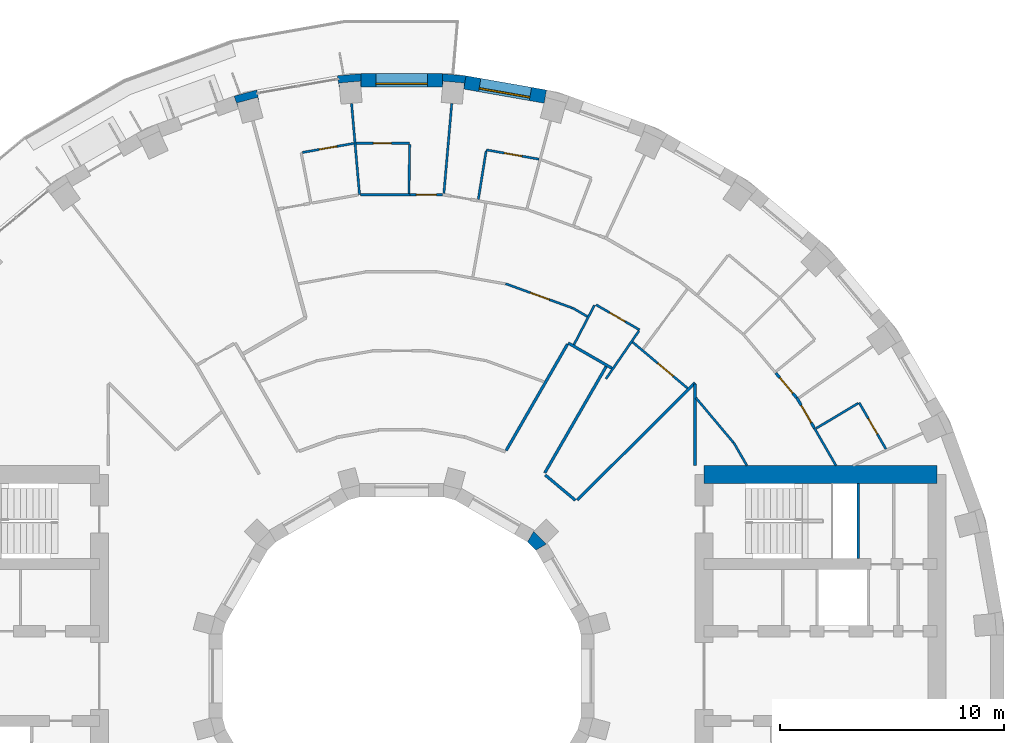
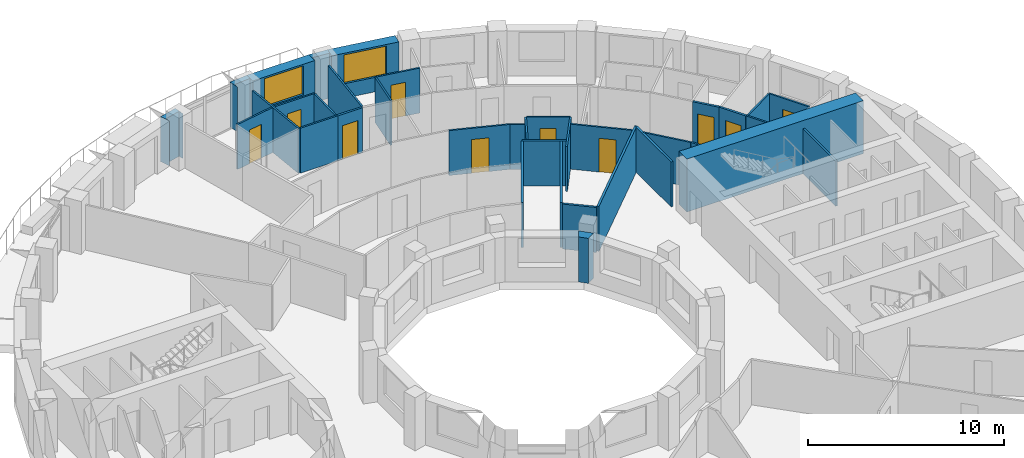
# One storey, part 11 of 14: 36 walls, 10 doors, 2 windows, 12 openings.
"""IFC4 building model written with IfcOpenShell, lengths in metres."""

from ifc_helpers import new_model, si_unit, direction, frame, frame_2d, origin, place, context, subcontext, project, spatial, polyline, rectangle, outline, extrude, material, layer, layer_set, type_object, element, fill, save


model = new_model("IFC4")

# Units and contexts
model_context = context("Model", 3, precision=1e-05, world=origin(), true_north=direction((0.0, 1.0)))
body_context = subcontext(model_context, "Body", "Model", "MODEL_VIEW")
ifc_project = project(units=[si_unit("LENGTHUNIT", "METRE"), si_unit("AREAUNIT", "SQUARE_METRE"), si_unit("VOLUMEUNIT", "CUBIC_METRE"), si_unit("PLANEANGLEUNIT", "RADIAN"), si_unit("MASSUNIT", "GRAM", prefix="KILO")], contexts=[model_context])

# Site, building, storey
site_placement = place(None, origin())
site = spatial("IfcSite", under=ifc_project, at=site_placement, CompositionType="ELEMENT")
building_placement = place(site_placement, origin())
building = spatial("IfcBuilding", under=site, at=building_placement, Name="Saqina Gate Tower", CompositionType="ELEMENT")
storey_placement = place(building_placement, frame((0.0, 0.0, 91.89990234375)))
storey = spatial("IfcBuildingStorey", under=building, at=storey_placement, Name="L25", CompositionType="ELEMENT", Elevation=91.89990234375)

# Walls
ifc_material_1 = material(Name="Brick masonry (buff)", Category="masonry")
wall_type_1 = type_object("IfcWallType", Name="BRICK PIER COPING BUFF", PredefinedType="SOLIDWALL", material=ifc_material_1)
wall_1_placement = place(storey_placement, origin())
element("IfcWall", 1, at=wall_1_placement, inside=storey, type_object=wall_type_1, Name="Pier cap L25 column 9", PredefinedType="SOLIDWALL", context=body_context, shape_type="SweptSolid", body=[
    extrude(outline(polyline([(2.87451171875, 26.805419921875), (1.823974609375, 26.897216796875), (1.823974609375, 26.29736328125), (1.847412109375, 26.565185546875), (2.793701171875, 26.482421875), (2.770263671875, 26.214599609375), (2.87451171875, 26.805419921875)])), origin(), (0.0, 0.0, 1.0), 2.800048828125),
])
wall_2_placement = place(storey_placement, origin())
element("IfcWall", 2, at=wall_2_placement, inside=storey, type_object=wall_type_1, Name="Pier cap L25 column 10", PredefinedType="SOLIDWALL", context=body_context, shape_type="SweptSolid", body=[
    extrude(outline(polyline([(-2.87451171875, 26.805419921875), (-2.770263671875, 26.214599609375), (-2.793701171875, 26.482421875), (-1.847412109375, 26.565185546875), (-1.823974609375, 26.29736328125), (-1.823974609375, 26.897216796875), (-2.87451171875, 26.805419921875)])), origin(), (0.0, 0.0, 1.0), 2.800048828125),
])
wall_3_placement = place(storey_placement, origin())
element("IfcWall", 3, at=wall_3_placement, inside=storey, type_object=wall_type_1, Name="Pier cap L25 column 11", PredefinedType="SOLIDWALL", context=body_context, shape_type="SweptSolid", body=[
    extrude(outline(polyline([(-6.466796875, 26.171875), (-7.485595703125, 25.89892578125), (-7.2802734375, 25.335205078125), (-7.349853515625, 25.5947265625), (-6.43212890625, 25.8408203125), (-6.36279296875, 25.5810546875), (-6.466796875, 26.171875)])), origin(), (0.0, 0.0, 1.0), 2.800048828125),
])

# Wall, opening, window
ifc_material_2 = material(Name="Brick masonry (buff)", Category="masonry")
ifc_layer_1 = layer(ifc_material_2, 0.60009765625)
ifc_layer_set_1 = layer_set([ifc_layer_1], Name="FW-BRICK-BUFF")
wall_type_2 = type_object("IfcWallType", Name="FW-BRICK-BUFF", PredefinedType="SOLIDWALL", material=ifc_layer_set_1)
wall_4_placement = place(storey_placement, frame((6.414794921875, 25.87646484375, 0.0), z_axis=(0.0, 0.0, 1.0), x_axis=(-0.984803764455, 0.173670796382, 0.0)))
wall_4 = element("IfcWall", 4, at=wall_4_placement, inside=storey, type_object=wall_type_2, Name="Facade wall L25 facet 8", PredefinedType="SOLIDWALL", context=body_context, shape_type="SweptSolid", body=[
    extrude(rectangle(XDim=3.64794921875, YDim=0.60009765625, at=frame_2d((1.823974609375, 0.0))), origin(), (0.0, 0.0, 1.0), 2.800048828125),
])
opening_1_placement = place(wall_4_placement, frame((0.673828125, 0.0, 0.89990234375)))
opening_1 = element("IfcOpeningElement", 5, at=opening_1_placement, cuts=wall_4, Name="Opening G07-W06", PredefinedType="OPENING", context=body_context, shape_type="SweptSolid", body=[
    extrude(rectangle(XDim=2.300048828125, YDim=1.800048828125, at=frame_2d((1.14990234375, 0.89990234375))), frame((0.0, 0.31201171875, 0.0), z_axis=(0.0, -1.0, 0.0), x_axis=(1.0, 0.0, 0.0)), (0.0, 0.0, 1.0), 0.6240234375),
])
ifc_material_3 = material(Name="Aluminium glazing", Category="aluminium")
window_type = type_object("IfcWindowType", Name="WN-B", PartitioningType="SINGLE_PANEL", PredefinedType="WINDOW", material=ifc_material_3)
window_1_placement = place(opening_1_placement, origin())
window_1 = element("IfcWindow", 6, at=window_1_placement, inside=storey, type_object=window_type, Name="Window L25 facet 8", OverallHeight=1.800048828125, OverallWidth=2.300048828125, PartitioningType="SINGLE_PANEL", PredefinedType="WINDOW", context=body_context, shape_type="SweptSolid", body=[
    extrude(rectangle(XDim=2.300048828125, YDim=1.800048828125, at=frame_2d((1.14990234375, 0.89990234375))), frame((0.0, 0.179931640625, 0.0), z_axis=(0.0, -1.0, 0.0), x_axis=(1.0, 0.0, 0.0)), (0.0, 0.0, 1.0), 0.06005859375),
])
fill(opening_1, window_1)

wall_5_placement = place(storey_placement, frame((1.823974609375, 26.59716796875, 0.0), z_axis=(0.0, 0.0, 1.0), x_axis=(-1.0, 0.0, 0.0)))
wall_5 = element("IfcWall", 7, at=wall_5_placement, inside=storey, type_object=wall_type_2, Name="Facade wall L25 facet 9", PredefinedType="SOLIDWALL", context=body_context, shape_type="SweptSolid", body=[
    extrude(rectangle(XDim=3.64794921875, YDim=0.60009765625, at=frame_2d((1.823974609375, 0.0))), origin(), (0.0, 0.0, 1.0), 2.800048828125),
])
opening_2_placement = place(wall_5_placement, frame((0.673828125, 0.0, 0.89990234375)))
opening_2 = element("IfcOpeningElement", 8, at=opening_2_placement, cuts=wall_5, Name="Opening G07-W07", PredefinedType="OPENING", context=body_context, shape_type="SweptSolid", body=[
    extrude(rectangle(XDim=2.300048828125, YDim=1.800048828125, at=frame_2d((1.14990234375, 0.89990234375))), frame((0.0, 0.31201171875, 0.0), z_axis=(0.0, -1.0, 0.0), x_axis=(1.0, 0.0, 0.0)), (0.0, 0.0, 1.0), 0.6240234375),
])
window_2_placement = place(opening_2_placement, origin())
window_2 = element("IfcWindow", 9, at=window_2_placement, inside=storey, type_object=window_type, Name="Window L25 facet 9", OverallHeight=1.800048828125, OverallWidth=2.300048828125, PartitioningType="SINGLE_PANEL", PredefinedType="WINDOW", context=body_context, shape_type="SweptSolid", body=[
    extrude(rectangle(XDim=2.300048828125, YDim=1.800048828125, at=frame_2d((1.14990234375, 0.89990234375))), frame((0.0, 0.179931640625, 0.0), z_axis=(0.0, -1.0, 0.0), x_axis=(1.0, 0.0, 0.0)), (0.0, 0.0, 1.0), 0.06005859375),
])
fill(opening_2, window_2)

# Walls
ifc_material_4 = material(Name="Gypsum board on steel studs, 100 mm", Category="steel")
ifc_layer_2 = layer(ifc_material_4, 0.10009765625)
ifc_layer_set_2 = layer_set([ifc_layer_2], Name="PARTITION 100")
wall_type_3 = type_object("IfcWallType", Name="PARTITION 100", PredefinedType="PARTITIONING", material=ifc_layer_set_2)
wall_6_placement = place(storey_placement, frame((-2.23681640625, 25.5673828125, 0.0), z_axis=(0.0, 0.0, 1.0), x_axis=(0.087060211484, -0.996203051379, 0.0)))
element("IfcWall", 10, at=wall_6_placement, inside=storey, type_object=wall_type_3, Name="PARTITION PW3-01", PredefinedType="PARTITIONING", context=body_context, shape_type="SweptSolid", body=[
    extrude(rectangle(XDim=4.0859375, YDim=0.10009765625, at=frame_2d((2.04296875, 0.0))), origin(), (0.0, 0.0, 1.0), 2.800048828125),
])
wall_7_placement = place(storey_placement, frame((14.818603515625, 10.43798828125, 0.0), z_axis=(0.0, 0.0, 1.0), x_axis=(0.500016292001, -0.866015997389, 0.0)))
element("IfcWall", 11, at=wall_7_placement, inside=storey, type_object=wall_type_3, Name="PARTITION PW3-11", PredefinedType="PARTITIONING", context=body_context, shape_type="SweptSolid", body=[
    extrude(rectangle(XDim=1.19873046875, YDim=0.10009765625, at=frame_2d((0.599365234375, 0.0))), origin(), (0.0, 0.0, 1.0), 2.800048828125),
])
wall_8_placement = place(storey_placement, frame((18.429931640625, 11.072265625, 0.0), z_axis=(0.0, 0.0, 1.0), x_axis=(0.500203884267, -0.865907659144, 0.0)))
element("IfcWall", 12, at=wall_8_placement, inside=storey, type_object=wall_type_3, Name="PARTITION PW3-12", PredefinedType="PARTITIONING", context=body_context, shape_type="SweptSolid", body=[
    extrude(rectangle(XDim=1.931396484375, YDim=0.10009765625, at=frame_2d((0.9658203125, 0.0))), origin(), (0.0, 0.0, 1.0), 2.800048828125),
])

# Wall, opening, door
wall_9_placement = place(storey_placement, frame((20.429931640625, 12.208984375, 0.0), z_axis=(0.0, 0.0, 1.0), x_axis=(0.500061428766, -0.865989934965, 0.0)))
wall_9 = element("IfcWall", 13, at=wall_9_placement, inside=storey, type_object=wall_type_3, Name="PARTITION PW3-13", PredefinedType="PARTITIONING", context=body_context, shape_type="SweptSolid", body=[
    extrude(rectangle(XDim=2.389892578125, YDim=0.10009765625, at=frame_2d((1.19482421875, 0.0))), origin(), (0.0, 0.0, 1.0), 2.800048828125),
])
opening_3_placement = place(wall_9_placement, frame((0.820068359375, 0.0, 0.0)))
opening_3 = element("IfcOpeningElement", 14, at=opening_3_placement, cuts=wall_9, Name="Opening G07-D01", PredefinedType="OPENING", context=body_context, shape_type="SweptSolid", body=[
    extrude(rectangle(XDim=0.800048828125, YDim=2.10009765625, at=frame_2d((0.39990234375, 1.050048828125))), frame((0.0, 0.06201171875, 0.0), z_axis=(0.0, -1.0, 0.0), x_axis=(1.0, 0.0, 0.0)), (0.0, 0.0, 1.0), 0.1240234375),
])
ifc_material_5 = material(Name="Timber door leaf, 800 mm", Category="wood")
door_type_1 = type_object("IfcDoorType", Name="DOOR 800 TIMBER", OperationType="SINGLE_SWING_LEFT", PredefinedType="DOOR", material=ifc_material_5)
door_1_placement = place(opening_3_placement, origin())
door_1 = element("IfcDoor", 15, at=door_1_placement, inside=storey, type_object=door_type_1, Name="DOOR G07-D01", OperationType="SINGLE_SWING_RIGHT", OverallHeight=2.10009765625, OverallWidth=0.800048828125, PredefinedType="DOOR", context=body_context, shape_type="SweptSolid", body=[
    extrude(rectangle(XDim=0.800048828125, YDim=2.10009765625, at=frame_2d((0.39990234375, 1.050048828125))), frame((0.0, 0.02490234375, 0.0), z_axis=(0.0, -1.0, 0.0), x_axis=(1.0, 0.0, 0.0)), (0.0, 0.0, 1.0), 0.050048828125),
])
fill(opening_3, door_1)

# Wall
wall_10_placement = place(storey_placement, frame((13.14013671875, 12.425048828125, 0.0), z_axis=(0.0, 0.0, 1.0), x_axis=(0.642692247105, -0.766124451712, 0.0)))
element("IfcWall", 16, at=wall_10_placement, inside=storey, type_object=wall_type_3, Name="PARTITION PW3-19", PredefinedType="PARTITIONING", context=body_context, shape_type="SweptSolid", body=[
    extrude(rectangle(XDim=2.60107421875, YDim=0.10009765625, at=frame_2d((1.300537109375, 0.0))), origin(), (0.0, 0.0, 1.0), 2.800048828125),
])

# Wall, opening, door
wall_11_placement = place(storey_placement, frame((10.310791015625, 14.91357421875, 0.0), z_axis=(0.0, 0.0, 1.0), x_axis=(0.766187913062, -0.642616590104, 0.0)))
wall_11 = element("IfcWall", 17, at=wall_11_placement, inside=storey, type_object=wall_type_3, Name="PARTITION PW3-26", PredefinedType="PARTITIONING", context=body_context, shape_type="SweptSolid", body=[
    extrude(rectangle(XDim=3.20458984375, YDim=0.10009765625, at=frame_2d((1.602294921875, 0.0))), origin(), (0.0, 0.0, 1.0), 2.800048828125),
])
opening_4_placement = place(wall_11_placement, frame((1.465576171875, 0.0, 0.0)))
opening_4 = element("IfcOpeningElement", 18, at=opening_4_placement, cuts=wall_11, Name="Opening G07-D06", PredefinedType="OPENING", context=body_context, shape_type="SweptSolid", body=[
    extrude(rectangle(XDim=0.89990234375, YDim=2.10009765625, at=frame_2d((0.449951171875, 1.050048828125))), frame((0.0, 0.06201171875, 0.0), z_axis=(0.0, -1.0, 0.0), x_axis=(1.0, 0.0, 0.0)), (0.0, 0.0, 1.0), 0.1240234375),
])
ifc_material_6 = material(Name="Timber door leaf, 900 mm", Category="wood")
door_type_2 = type_object("IfcDoorType", Name="DOOR 900 TIMBER", OperationType="SINGLE_SWING_LEFT", PredefinedType="DOOR", material=ifc_material_6)
door_2_placement = place(opening_4_placement, origin())
door_2 = element("IfcDoor", 19, at=door_2_placement, inside=storey, type_object=door_type_2, Name="DOOR G07-D06", OperationType="SINGLE_SWING_RIGHT", OverallHeight=2.10009765625, OverallWidth=0.89990234375, PredefinedType="DOOR", context=body_context, shape_type="SweptSolid", body=[
    extrude(rectangle(XDim=0.89990234375, YDim=2.10009765625, at=frame_2d((0.449951171875, 1.050048828125))), frame((0.0, 0.02490234375, 0.0), z_axis=(0.0, -1.0, 0.0), x_axis=(1.0, 0.0, 0.0)), (0.0, 0.0, 1.0), 0.050048828125),
])
fill(opening_4, door_2)

# Wall
wall_12_placement = place(storey_placement, frame((7.61376953125, 16.448974609375, 0.0), z_axis=(0.0, 0.0, 1.0), x_axis=(0.866201164306, -0.499695450205, 0.0)))
element("IfcWall", 20, at=wall_12_placement, inside=storey, type_object=wall_type_3, Name="PARTITION PW3-34", PredefinedType="PARTITIONING", context=body_context, shape_type="SweptSolid", body=[
    extrude(rectangle(XDim=0.78271484375, YDim=0.10009765625, at=frame_2d((0.391357421875, 0.0))), origin(), (0.0, 0.0, 1.0), 2.800048828125),
])

# Wall, opening, door
wall_13_placement = place(storey_placement, frame((8.678955078125, 16.58203125, 0.0), z_axis=(0.0, 0.0, 1.0), x_axis=(0.866122264928, -0.499832194037, 0.0)))
wall_13 = element("IfcWall", 21, at=wall_13_placement, inside=storey, type_object=wall_type_3, Name="PARTITION PW3-35", PredefinedType="PARTITIONING", context=body_context, shape_type="SweptSolid", body=[
    extrude(rectangle(XDim=2.246826171875, YDim=0.10009765625, at=frame_2d((1.12353515625, 0.0))), origin(), (0.0, 0.0, 1.0), 2.800048828125),
])
opening_5_placement = place(wall_13_placement, frame((0.697509765625, 0.0, 0.0)))
opening_5 = element("IfcOpeningElement", 22, at=opening_5_placement, cuts=wall_13, Name="Opening G07-D08", PredefinedType="OPENING", context=body_context, shape_type="SweptSolid", body=[
    extrude(rectangle(XDim=0.800048828125, YDim=2.10009765625, at=frame_2d((0.39990234375, 1.050048828125))), frame((0.0, 0.06201171875, 0.0), z_axis=(0.0, -1.0, 0.0), x_axis=(1.0, 0.0, 0.0)), (0.0, 0.0, 1.0), 0.1240234375),
])
door_3_placement = place(opening_5_placement, origin())
door_3 = element("IfcDoor", 23, at=door_3_placement, inside=storey, type_object=door_type_1, Name="DOOR G07-D08", OperationType="SINGLE_SWING_LEFT", OverallHeight=2.10009765625, OverallWidth=0.800048828125, PredefinedType="DOOR", context=body_context, shape_type="SweptSolid", body=[
    extrude(rectangle(XDim=0.800048828125, YDim=2.10009765625, at=frame_2d((0.39990234375, 1.050048828125))), frame((0.0, 0.02490234375, 0.0), z_axis=(0.0, -1.0, 0.0), x_axis=(1.0, 0.0, 0.0)), (0.0, 0.0, 1.0), 0.050048828125),
])
fill(opening_5, door_3)

wall_14_placement = place(storey_placement, frame((4.642333984375, 17.521240234375, 0.0), z_axis=(0.0, 0.0, 1.0), x_axis=(0.939739258447, -0.341891980211, 0.0)))
wall_14 = element("IfcWall", 24, at=wall_14_placement, inside=storey, type_object=wall_type_3, Name="PARTITION PW3-40", PredefinedType="PARTITIONING", context=body_context, shape_type="SweptSolid", body=[
    extrude(rectangle(XDim=3.1591796875, YDim=0.10009765625, at=frame_2d((1.57958984375, 0.0))), origin(), (0.0, 0.0, 1.0), 2.800048828125),
])
opening_6_placement = place(wall_14_placement, frame((1.179931640625, 0.0, 0.0)))
opening_6 = element("IfcOpeningElement", 25, at=opening_6_placement, cuts=wall_14, Name="Opening G07-D11", PredefinedType="OPENING", context=body_context, shape_type="SweptSolid", body=[
    extrude(rectangle(XDim=0.89990234375, YDim=2.10009765625, at=frame_2d((0.449951171875, 1.050048828125))), frame((0.0, 0.06201171875, 0.0), z_axis=(0.0, -1.0, 0.0), x_axis=(1.0, 0.0, 0.0)), (0.0, 0.0, 1.0), 0.1240234375),
])
door_4_placement = place(opening_6_placement, frame((0.89990234375, 0.0, 0.0), z_axis=(0.0, 0.0, 1.0), x_axis=(-1.0, 0.0, 0.0)))
door_4 = element("IfcDoor", 26, at=door_4_placement, inside=storey, type_object=door_type_2, Name="DOOR G07-D11", OperationType="SINGLE_SWING_LEFT", OverallHeight=2.10009765625, OverallWidth=0.89990234375, PredefinedType="DOOR", context=body_context, shape_type="SweptSolid", body=[
    extrude(rectangle(XDim=0.89990234375, YDim=2.10009765625, at=frame_2d((0.449951171875, 1.050048828125))), frame((0.0, 0.02490234375, 0.0), z_axis=(0.0, -1.0, 0.0), x_axis=(1.0, 0.0, 0.0)), (0.0, 0.0, 1.0), 0.050048828125),
])
fill(opening_6, door_4)

wall_15_placement = place(storey_placement, frame((3.779052734375, 23.498046875, 0.0), z_axis=(0.0, 0.0, 1.0), x_axis=(0.984802055472, -0.173680486922, 0.0)))
wall_15 = element("IfcWall", 27, at=wall_15_placement, inside=storey, type_object=wall_type_3, Name="PARTITION PW3-49", PredefinedType="PARTITIONING", context=body_context, shape_type="SweptSolid", body=[
    extrude(rectangle(XDim=2.39111328125, YDim=0.10009765625, at=frame_2d((1.195556640625, 0.0))), origin(), (0.0, 0.0, 1.0), 2.800048828125),
])
opening_7_placement = place(wall_15_placement, frame((0.820556640625, 0.0, 0.0)))
opening_7 = element("IfcOpeningElement", 28, at=opening_7_placement, cuts=wall_15, Name="Opening G07-D13", PredefinedType="OPENING", context=body_context, shape_type="SweptSolid", body=[
    extrude(rectangle(XDim=0.800048828125, YDim=2.10009765625, at=frame_2d((0.39990234375, 1.050048828125))), frame((0.0, 0.06201171875, 0.0), z_axis=(0.0, -1.0, 0.0), x_axis=(1.0, 0.0, 0.0)), (0.0, 0.0, 1.0), 0.1240234375),
])
door_5_placement = place(opening_7_placement, origin())
door_5 = element("IfcDoor", 29, at=door_5_placement, inside=storey, type_object=door_type_1, Name="DOOR G07-D13", OperationType="SINGLE_SWING_RIGHT", OverallHeight=2.10009765625, OverallWidth=0.800048828125, PredefinedType="DOOR", context=body_context, shape_type="SweptSolid", body=[
    extrude(rectangle(XDim=0.800048828125, YDim=2.10009765625, at=frame_2d((0.39990234375, 1.050048828125))), frame((0.0, 0.02490234375, 0.0), z_axis=(0.0, -1.0, 0.0), x_axis=(1.0, 0.0, 0.0)), (0.0, 0.0, 1.0), 0.050048828125),
])
fill(opening_7, door_5)

# Wall
wall_16_placement = place(storey_placement, frame((-1.8310546875, 21.4970703125, 0.0), z_axis=(0.0, 0.0, 1.0), x_axis=(1.0, 0.0, 0.0)))
element("IfcWall", 30, at=wall_16_placement, inside=storey, type_object=wall_type_3, Name="PARTITION PW3-56", PredefinedType="PARTITIONING", context=body_context, shape_type="SweptSolid", body=[
    extrude(rectangle(XDim=2.205078125, YDim=0.10009765625, at=frame_2d((1.1025390625, 0.0))), origin(), (0.0, 0.0, 1.0), 2.800048828125),
])

# Wall, opening, door
wall_17_placement = place(storey_placement, frame((-2.031982421875, 23.797119140625, 0.0), z_axis=(0.0, 0.0, 1.0), x_axis=(1.0, 0.0, 0.0)))
wall_17 = element("IfcWall", 31, at=wall_17_placement, inside=storey, type_object=wall_type_3, Name="PARTITION PW3-57", PredefinedType="PARTITIONING", context=body_context, shape_type="SweptSolid", body=[
    extrude(rectangle(XDim=2.390869140625, YDim=0.10009765625, at=frame_2d((1.1953125, 0.0))), origin(), (0.0, 0.0, 1.0), 2.800048828125),
])
opening_8_placement = place(wall_17_placement, frame((0.7705078125, 0.0, 0.0)))
opening_8 = element("IfcOpeningElement", 32, at=opening_8_placement, cuts=wall_17, Name="Opening G07-D17", PredefinedType="OPENING", context=body_context, shape_type="SweptSolid", body=[
    extrude(rectangle(XDim=0.800048828125, YDim=2.10009765625, at=frame_2d((0.39990234375, 1.050048828125))), frame((0.0, 0.06201171875, 0.0), z_axis=(0.0, -1.0, 0.0), x_axis=(1.0, 0.0, 0.0)), (0.0, 0.0, 1.0), 0.1240234375),
])
door_6_placement = place(opening_8_placement, origin())
door_6 = element("IfcDoor", 33, at=door_6_placement, inside=storey, type_object=door_type_1, Name="DOOR G07-D17", OperationType="SINGLE_SWING_LEFT", OverallHeight=2.10009765625, OverallWidth=0.800048828125, PredefinedType="DOOR", context=body_context, shape_type="SweptSolid", body=[
    extrude(rectangle(XDim=0.800048828125, YDim=2.10009765625, at=frame_2d((0.39990234375, 1.050048828125))), frame((0.0, 0.02490234375, 0.0), z_axis=(0.0, -1.0, 0.0), x_axis=(1.0, 0.0, 0.0)), (0.0, 0.0, 1.0), 0.050048828125),
])
fill(opening_8, door_6)

wall_18_placement = place(storey_placement, frame((-4.436767578125, 23.381591796875, 0.0), z_axis=(0.0, 0.0, 1.0), x_axis=(0.984790907087, 0.173743688574, 0.0)))
wall_18 = element("IfcWall", 34, at=wall_18_placement, inside=storey, type_object=wall_type_3, Name="PARTITION PW3-64", PredefinedType="PARTITIONING", context=body_context, shape_type="SweptSolid", body=[
    extrude(rectangle(XDim=2.341064453125, YDim=0.10009765625, at=frame_2d((1.17041015625, 0.0))), origin(), (0.0, 0.0, 1.0), 2.800048828125),
])
opening_9_placement = place(wall_18_placement, frame((0.7705078125, 0.0, 0.0)))
opening_9 = element("IfcOpeningElement", 35, at=opening_9_placement, cuts=wall_18, Name="Opening G07-D18", PredefinedType="OPENING", context=body_context, shape_type="SweptSolid", body=[
    extrude(rectangle(XDim=0.800048828125, YDim=2.10009765625, at=frame_2d((0.39990234375, 1.050048828125))), frame((0.0, 0.06201171875, 0.0), z_axis=(0.0, -1.0, 0.0), x_axis=(1.0, 0.0, 0.0)), (0.0, 0.0, 1.0), 0.1240234375),
])
door_7_placement = place(opening_9_placement, origin())
door_7 = element("IfcDoor", 36, at=door_7_placement, inside=storey, type_object=door_type_1, Name="DOOR G07-D18", OperationType="SINGLE_SWING_RIGHT", OverallHeight=2.10009765625, OverallWidth=0.800048828125, PredefinedType="DOOR", context=body_context, shape_type="SweptSolid", body=[
    extrude(rectangle(XDim=0.800048828125, YDim=2.10009765625, at=frame_2d((0.39990234375, 1.050048828125))), frame((0.0, 0.02490234375, 0.0), z_axis=(0.0, -1.0, 0.0), x_axis=(1.0, 0.0, 0.0)), (0.0, 0.0, 1.0), 0.050048828125),
])
fill(opening_9, door_7)

# Walls
wall_19_placement = place(storey_placement, frame((18.508544921875, 11.06103515625, 0.0), z_axis=(0.0, 0.0, 1.0), x_axis=(0.85844638645, 0.512903306279, 0.0)))
element("IfcWall", 37, at=wall_19_placement, inside=storey, type_object=wall_type_3, Name="PARTITION PW3-74", PredefinedType="PARTITIONING", context=body_context, shape_type="SweptSolid", body=[
    extrude(rectangle(XDim=2.188232421875, YDim=0.10009765625, at=frame_2d((1.09423828125, 0.0))), origin(), (0.0, 0.0, 1.0), 2.800048828125),
])
wall_20_placement = place(storey_placement, frame((9.122314453125, 13.2724609375, 0.0), z_axis=(0.0, 0.0, 1.0), x_axis=(0.566405338298, 0.82412680623, 0.0)))
element("IfcWall", 38, at=wall_20_placement, inside=storey, type_object=wall_type_3, Name="PARTITION PW3-86", PredefinedType="PARTITIONING", context=body_context, shape_type="SweptSolid", body=[
    extrude(rectangle(XDim=2.601318359375, YDim=0.10009765625, at=frame_2d((1.30078125, 0.0))), origin(), (0.0, 0.0, 1.0), 2.800048828125),
])
wall_21_placement = place(storey_placement, frame((7.6943359375, 14.799560546875, 0.0), z_axis=(0.0, 0.0, 1.0), x_axis=(0.461012435149, 0.887393675117, 0.0)))
element("IfcWall", 39, at=wall_21_placement, inside=storey, type_object=wall_type_3, Name="PARTITION PW3-89", PredefinedType="PARTITIONING", context=body_context, shape_type="SweptSolid", body=[
    extrude(rectangle(XDim=1.988037109375, YDim=0.10009765625, at=frame_2d((0.994140625, 0.0))), origin(), (0.0, 0.0, 1.0), 2.800048828125),
])
wall_22_placement = place(storey_placement, frame((3.424072265625, 21.2890625, 0.0), z_axis=(0.0, 0.0, 1.0), x_axis=(0.1586042635, 0.987342234283, 0.0)))
element("IfcWall", 40, at=wall_22_placement, inside=storey, type_object=wall_type_3, Name="PARTITION PW3-101", PredefinedType="PARTITIONING", context=body_context, shape_type="SweptSolid", body=[
    extrude(rectangle(XDim=2.187255859375, YDim=0.10009765625, at=frame_2d((1.09375, 0.0))), origin(), (0.0, 0.0, 1.0), 2.800048828125),
])
wall_23_placement = place(storey_placement, frame((1.886474609375, 21.559326171875, 0.0), z_axis=(0.0, 0.0, 1.0), x_axis=(0.087137593131, 0.996196285811, 0.0)))
element("IfcWall", 41, at=wall_23_placement, inside=storey, type_object=wall_type_3, Name="PARTITION PW3-103", PredefinedType="PARTITIONING", context=body_context, shape_type="SweptSolid", body=[
    extrude(rectangle(XDim=4.0234375, YDim=0.10009765625, at=frame_2d((2.01171875, 0.0))), origin(), (0.0, 0.0, 1.0), 2.800048828125),
])
wall_24_placement = place(storey_placement, frame((0.324951171875, 21.5595703125, 0.0), z_axis=(0.0, 0.0, 1.0), x_axis=(0.015176823242, 0.999884825386, 0.0)))
element("IfcWall", 42, at=wall_24_placement, inside=storey, type_object=wall_type_3, Name="PARTITION PW3-105", PredefinedType="PARTITIONING", context=body_context, shape_type="SweptSolid", body=[
    extrude(rectangle(XDim=2.187744140625, YDim=0.10009765625, at=frame_2d((1.09375, 0.0))), origin(), (0.0, 0.0, 1.0), 2.800048828125),
])

# Wall, opening, door
ifc_material_7 = material(Name="Gypsum board on steel studs, 125 mm, fire rated", Category="steel")
ifc_layer_3 = layer(ifc_material_7, 0.125)
ifc_layer_set_3 = layer_set([ifc_layer_3], Name="PARTITION EI 30 125")
wall_type_4 = type_object("IfcWallType", Name="PARTITION EI 30 125", PredefinedType="PARTITIONING", material=ifc_layer_set_3)
wall_25_placement = place(storey_placement, frame((17.645263671875, 12.431884765625, 0.0), z_axis=(0.0, 0.0, 1.0), x_axis=(0.499852597388, -0.866110489998, 0.0)))
wall_25 = element("IfcWall", 43, at=wall_25_placement, inside=storey, type_object=wall_type_4, Name="PARTITION PW1-05", PredefinedType="PARTITIONING", context=body_context, shape_type="SweptSolid", body=[
    extrude(rectangle(XDim=1.56982421875, YDim=0.125, at=frame_2d((0.784912109375, 0.0))), origin(), (0.0, 0.0, 1.0), 2.800048828125),
])
opening_10_placement = place(wall_25_placement, frame((0.3916015625, 0.0, 0.0)))
opening_10 = element("IfcOpeningElement", 44, at=opening_10_placement, cuts=wall_25, Name="Opening G07-D02", PredefinedType="OPENING", context=body_context, shape_type="SweptSolid", body=[
    extrude(rectangle(XDim=0.89990234375, YDim=2.10009765625, at=frame_2d((0.449951171875, 1.050048828125))), frame((0.0, 0.074462890625, 0.0), z_axis=(0.0, -1.0, 0.0), x_axis=(1.0, 0.0, 0.0)), (0.0, 0.0, 1.0), 0.14892578125),
])
ifc_material_8 = material(Name="Fire door leaf EI 30, 900 mm")
door_type_3 = type_object("IfcDoorType", Name="DOOR 900 EI 30", OperationType="SINGLE_SWING_LEFT", PredefinedType="DOOR", material=ifc_material_8)
door_8_placement = place(opening_10_placement, frame((0.89990234375, 0.0, 0.0), z_axis=(0.0, 0.0, 1.0), x_axis=(-1.0, 0.0, 0.0)))
door_8 = element("IfcDoor", 45, at=door_8_placement, inside=storey, type_object=door_type_3, Name="DOOR G07-D02", OperationType="SINGLE_SWING_RIGHT", OverallHeight=2.10009765625, OverallWidth=0.89990234375, PredefinedType="DOOR", context=body_context, shape_type="SweptSolid", body=[
    extrude(rectangle(XDim=0.89990234375, YDim=2.10009765625, at=frame_2d((0.449951171875, 1.050048828125))), frame((0.0, 0.02490234375, 0.0), z_axis=(0.0, -1.0, 0.0), x_axis=(1.0, 0.0, 0.0)), (0.0, 0.0, 1.0), 0.050048828125),
])
fill(opening_10, door_8)

wall_26_placement = place(storey_placement, frame((16.708251953125, 13.53173828125, 0.0), z_axis=(0.0, 0.0, 1.0), x_axis=(0.642641061866, -0.766167387458, 0.0)))
wall_26 = element("IfcWall", 46, at=wall_26_placement, inside=storey, type_object=wall_type_4, Name="PARTITION PW1-08", PredefinedType="PARTITIONING", context=body_context, shape_type="SweptSolid", body=[
    extrude(rectangle(XDim=1.44482421875, YDim=0.125, at=frame_2d((0.722412109375, 0.0))), origin(), (0.0, 0.0, 1.0), 2.800048828125),
])
opening_11_placement = place(wall_26_placement, frame((0.27880859375, 0.0, 0.0)))
opening_11 = element("IfcOpeningElement", 47, at=opening_11_placement, cuts=wall_26, Name="Opening G07-D03", PredefinedType="OPENING", context=body_context, shape_type="SweptSolid", body=[
    extrude(rectangle(XDim=0.89990234375, YDim=2.10009765625, at=frame_2d((0.449951171875, 1.050048828125))), frame((0.0, 0.074462890625, 0.0), z_axis=(0.0, -1.0, 0.0), x_axis=(1.0, 0.0, 0.0)), (0.0, 0.0, 1.0), 0.14892578125),
])
door_9_placement = place(opening_11_placement, frame((0.89990234375, 0.0, 0.0), z_axis=(0.0, 0.0, 1.0), x_axis=(-1.0, 0.0, 0.0)))
door_9 = element("IfcDoor", 48, at=door_9_placement, inside=storey, type_object=door_type_3, Name="DOOR G07-D03", OperationType="SINGLE_SWING_LEFT", OverallHeight=2.10009765625, OverallWidth=0.89990234375, PredefinedType="DOOR", context=body_context, shape_type="SweptSolid", body=[
    extrude(rectangle(XDim=0.89990234375, YDim=2.10009765625, at=frame_2d((0.449951171875, 1.050048828125))), frame((0.0, 0.02490234375, 0.0), z_axis=(0.0, -1.0, 0.0), x_axis=(1.0, 0.0, 0.0)), (0.0, 0.0, 1.0), 0.050048828125),
])
fill(opening_11, door_9)

# Walls
wall_27_placement = place(storey_placement, frame((6.4091796875, 8.981201171875, 0.0), z_axis=(0.0, 0.0, 1.0), x_axis=(0.766209131969, -0.642591290081, 0.0)))
element("IfcWall", 49, at=wall_27_placement, inside=storey, type_object=wall_type_4, Name="PARTITION PW1-13", PredefinedType="PARTITIONING", context=body_context, shape_type="SweptSolid", body=[
    extrude(rectangle(XDim=1.763671875, YDim=0.125, at=frame_2d((0.8818359375, 0.0))), origin(), (0.0, 0.0, 1.0), 2.800048828125),
])
wall_28_placement = place(storey_placement, frame((7.435791015625, 14.875, 0.0), z_axis=(0.0, 0.0, 1.0), x_axis=(0.866028691075, -0.499994306202, 0.0)))
element("IfcWall", 50, at=wall_28_placement, inside=storey, type_object=wall_type_4, Name="PARTITION PW1-17", PredefinedType="PARTITIONING", context=body_context, shape_type="SweptSolid", body=[
    extrude(rectangle(XDim=2.25439453125, YDim=0.125, at=frame_2d((1.127197265625, 0.0))), origin(), (0.0, 0.0, 1.0), 2.800048828125),
])

# Wall, opening, door
wall_29_placement = place(storey_placement, frame((0.3740234375, 21.4970703125, 0.0), z_axis=(0.0, 0.0, 1.0), x_axis=(1.0, 0.0, 0.0)))
wall_29 = element("IfcWall", 51, at=wall_29_placement, inside=storey, type_object=wall_type_4, Name="PARTITION PW1-30", PredefinedType="PARTITIONING", context=body_context, shape_type="SweptSolid", body=[
    extrude(rectangle(XDim=1.444580078125, YDim=0.125, at=frame_2d((0.72216796875, 0.0))), origin(), (0.0, 0.0, 1.0), 2.800048828125),
])
opening_12_placement = place(wall_29_placement, frame((0.278564453125, 0.0, 0.0)))
opening_12 = element("IfcOpeningElement", 52, at=opening_12_placement, cuts=wall_29, Name="Opening G07-D15", PredefinedType="OPENING", context=body_context, shape_type="SweptSolid", body=[
    extrude(rectangle(XDim=0.89990234375, YDim=2.10009765625, at=frame_2d((0.449951171875, 1.050048828125))), frame((0.0, 0.074462890625, 0.0), z_axis=(0.0, -1.0, 0.0), x_axis=(1.0, 0.0, 0.0)), (0.0, 0.0, 1.0), 0.14892578125),
])
door_10_placement = place(opening_12_placement, frame((0.89990234375, 0.0, 0.0), z_axis=(0.0, 0.0, 1.0), x_axis=(-1.0, 0.0, 0.0)))
door_10 = element("IfcDoor", 53, at=door_10_placement, inside=storey, type_object=door_type_3, Name="DOOR G07-D15", OperationType="SINGLE_SWING_LEFT", OverallHeight=2.10009765625, OverallWidth=0.89990234375, PredefinedType="DOOR", context=body_context, shape_type="SweptSolid", body=[
    extrude(rectangle(XDim=0.89990234375, YDim=2.10009765625, at=frame_2d((0.449951171875, 1.050048828125))), frame((0.0, 0.02490234375, 0.0), z_axis=(0.0, -1.0, 0.0), x_axis=(1.0, 0.0, 0.0)), (0.0, 0.0, 1.0), 0.050048828125),
])
fill(opening_12, door_10)

# Walls
wall_30_placement = place(storey_placement, frame((7.843505859375, 7.861083984375, 0.0), z_axis=(0.0, 0.0, 1.0), x_axis=(0.708356490253, 0.705854859526, 0.0)))
element("IfcWall", 54, at=wall_30_placement, inside=storey, type_object=wall_type_4, Name="PARTITION PW1-44", PredefinedType="PARTITIONING", context=body_context, shape_type="SweptSolid", body=[
    extrude(rectangle(XDim=7.4169921875, YDim=0.125, at=frame_2d((3.70849609375, 0.0))), origin(), (0.0, 0.0, 1.0), 2.800048828125),
])
wall_31_placement = place(storey_placement, frame((6.39306640625, 9.07470703125, 0.0), z_axis=(0.0, 0.0, 1.0), x_axis=(0.499717313028, 0.866188551679, 0.0)))
element("IfcWall", 55, at=wall_31_placement, inside=storey, type_object=wall_type_4, Name="PARTITION PW1-45", PredefinedType="PARTITIONING", context=body_context, shape_type="SweptSolid", body=[
    extrude(rectangle(XDim=5.482177734375, YDim=0.125, at=frame_2d((2.7412109375, 0.0))), origin(), (0.0, 0.0, 1.0), 2.800048828125),
])
wall_32_placement = place(storey_placement, frame((4.666015625, 10.072021484375, 0.0), z_axis=(0.0, 0.0, 1.0), x_axis=(0.499564368271, 0.866276769834, 0.0)))
element("IfcWall", 56, at=wall_32_placement, inside=storey, type_object=wall_type_4, Name="PARTITION PW1-46", PredefinedType="PARTITIONING", context=body_context, shape_type="SweptSolid", body=[
    extrude(rectangle(XDim=5.48193359375, YDim=0.125, at=frame_2d((2.740966796875, 0.0))), origin(), (0.0, 0.0, 1.0), 2.800048828125),
])
wall_33_placement = place(storey_placement, frame((13.10009765625, 9.39990234375, 0.0), z_axis=(0.0, 0.0, 1.0), x_axis=(0.0, 1.0, 0.0)))
element("IfcWall", 57, at=wall_33_placement, inside=storey, type_object=wall_type_4, Name="PARTITION PW1-50", PredefinedType="PARTITIONING", context=body_context, shape_type="SweptSolid", body=[
    extrude(rectangle(XDim=3.632568359375, YDim=0.125, at=frame_2d((1.81640625, 0.0))), origin(), (0.0, 0.0, 1.0), 2.800048828125),
])
ifc_material_9 = material(Name="Autoclaved aerated concrete block", Category="concrete")
ifc_layer_4 = layer(ifc_material_9, 0.10009765625)
ifc_layer_set_4 = layer_set([ifc_layer_4], Name="STAIR ENCLOSURE WALL")
wall_type_5 = type_object("IfcWallType", Name="STAIR ENCLOSURE WALL", PredefinedType="PARTITIONING", material=ifc_layer_set_4)
wall_34_placement = place(storey_placement, frame((20.389892578125, 5.25, 0.0), z_axis=(0.0, 0.0, 1.0), x_axis=(0.0, 1.0, 0.0)))
element("IfcWall", 58, at=wall_34_placement, inside=storey, type_object=wall_type_5, Name="L25-CP-E09", PredefinedType="PARTITIONING", context=body_context, shape_type="SweptSolid", body=[
    extrude(rectangle(XDim=3.35009765625, YDim=0.10009765625, at=frame_2d((1.675048828125, 0.0))), origin(), (0.0, 0.0, 1.0), 2.800048828125),
])
ifc_material_10 = material(Name="Concrete C70/85", Category="concrete")
ifc_layer_5 = layer(ifc_material_10, 0.800048828125)
ifc_layer_set_5 = layer_set([ifc_layer_5], Name="Concrete C70/85")
wall_type_6 = type_object("IfcWallType", Name="STR-CORE WALL-B-O", PredefinedType="SHEAR", material=ifc_layer_set_5)
wall_35_placement = place(storey_placement, frame((13.5, 9.0, 0.0), z_axis=(0.0, 0.0, 1.0), x_axis=(1.0, 0.0, 0.0)))
element("IfcWall", 59, at=wall_35_placement, inside=storey, type_object=wall_type_6, Name="CORE WALL L25 E-NE", PredefinedType="SHEAR", context=body_context, shape_type="SweptSolid", body=[
    extrude(rectangle(XDim=10.39990234375, YDim=0.800048828125, at=frame_2d((5.199951171875, 0.0))), origin(), (0.0, 0.0, 1.0), 3.300048828125),
])
ifc_material_11 = material(Name="Glazed ceramic tile", Category="ceramic")
wall_type_7 = type_object("IfcWallType", Name="TILE PIER COPING", PredefinedType="SOLIDWALL", material=ifc_material_11)
wall_36_placement = place(storey_placement, origin())
element("IfcWall", 60, at=wall_36_placement, inside=storey, type_object=wall_type_7, Name="Well pier cap L25 column 2", PredefinedType="SOLIDWALL", context=body_context, shape_type="SweptSolid", body=[
    extrude(outline(polyline([(5.891845703125, 6.45751953125), (5.622802734375, 5.991455078125), (5.991455078125, 5.622802734375), (6.45751953125, 5.891845703125), (5.891845703125, 6.45751953125)])), origin(), (0.0, 0.0, 1.0), 2.800048828125),
])

save(model, "model.ifc")
